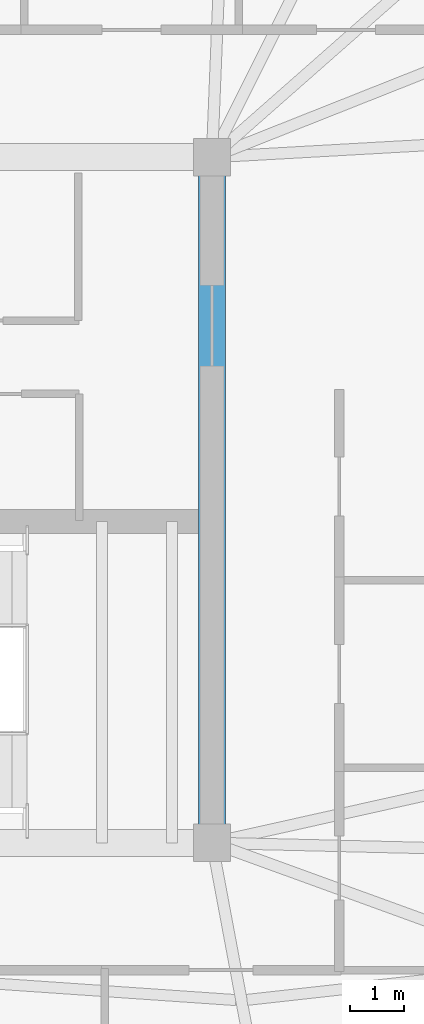
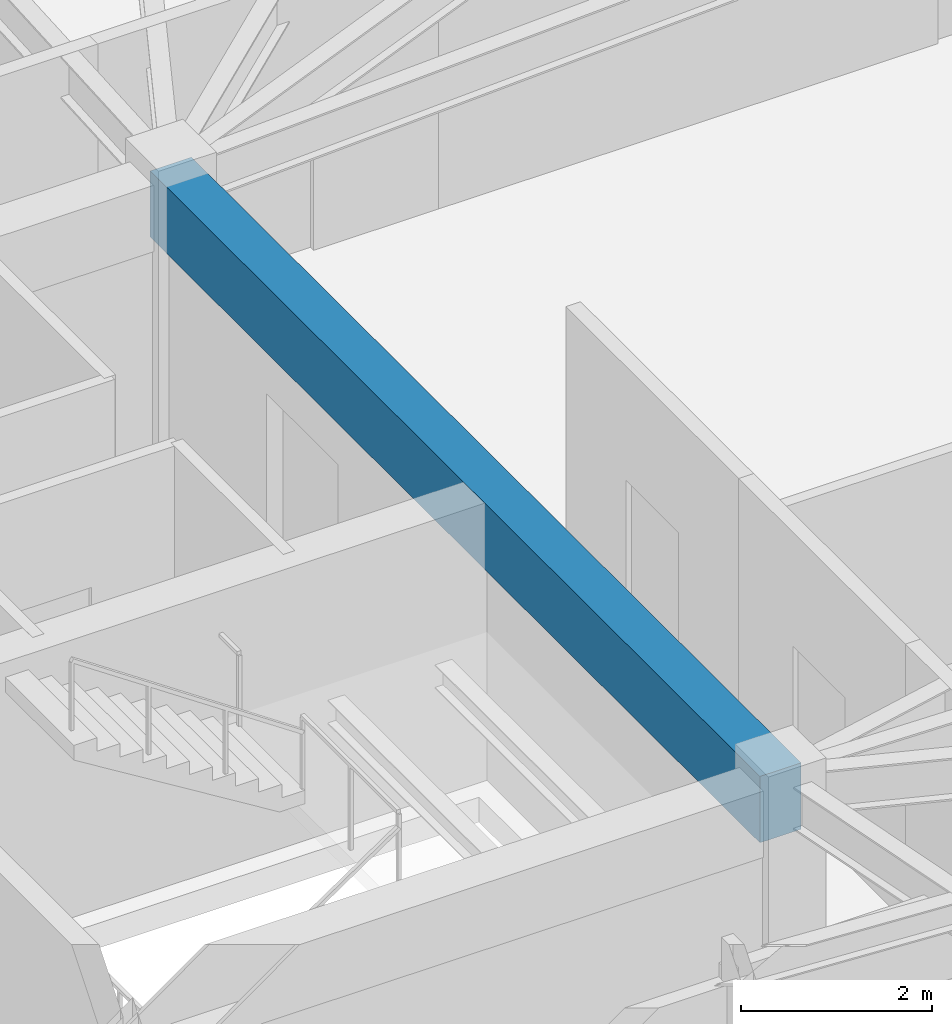
# One storey, part 8 of 29: 1 beam.
"""IFC4 building model written with IfcOpenShell, lengths in metres."""

from ifc_helpers import new_model, si_unit, direction, frame, origin, origin_2d, place, context, subcontext, project, spatial, rectangle, extrude, material, material_profile, profile_set, type_object, element, save


model = new_model("IFC4")

# Units and contexts
model_context = context("Model", 3, precision=1e-05, world=origin(), true_north=direction((0.0, 1.0)))
body_context = subcontext(model_context, "Body", "Model", "MODEL_VIEW")
ifc_project = project(units=[si_unit("LENGTHUNIT", "METRE"), si_unit("AREAUNIT", "SQUARE_METRE"), si_unit("VOLUMEUNIT", "CUBIC_METRE"), si_unit("PLANEANGLEUNIT", "RADIAN"), si_unit("MASSUNIT", "GRAM", prefix="KILO")], contexts=[model_context])

# Site, building, storey
site_placement = place(None, origin())
site = spatial("IfcSite", under=ifc_project, at=site_placement, CompositionType="ELEMENT")
building_placement = place(site_placement, origin())
building = spatial("IfcBuilding", under=site, at=building_placement, Name="Kazevale Care Tower and Concert Hall", CompositionType="ELEMENT")
storey_placement = place(building_placement, frame((0.0, 0.0, 281.39990234375)))
storey = spatial("IfcBuildingStorey", under=building, at=storey_placement, Name="L74", CompositionType="ELEMENT", Elevation=281.39990234375)

# Beam
ifc_material = material(Name="Concrete C60", Category="concrete")
ifc_material_profile = material_profile(ifc_material, rectangle(XDim=0.5, YDim=0.85009765625, at=origin_2d()), Name="RC-B500x850")
ifc_profile_set = profile_set([ifc_material_profile], Name="Concrete C60")
beam_type = type_object("IfcBeamType", Name="Core Coupling Beam RC500x850", PredefinedType="LINTEL", material=ifc_profile_set)
beam_placement = place(storey_placement, frame((44.0, 23.60009765625, 3.135009765625), z_axis=(0.0, 1.0, 0.0), x_axis=(-1.0, 0.0, 0.0)))
element("IfcBeam", 1, at=beam_placement, inside=storey, type_object=beam_type, Name="beam:L74:coretie:4", PredefinedType="LINTEL", context=body_context, shape_type="SweptSolid", body=[
    extrude(rectangle(XDim=0.5, YDim=0.85009765625, at=origin_2d()), origin(), (0.0, 0.0, 1.0), 12.7998046875),
])

save(model, "model.ifc")
